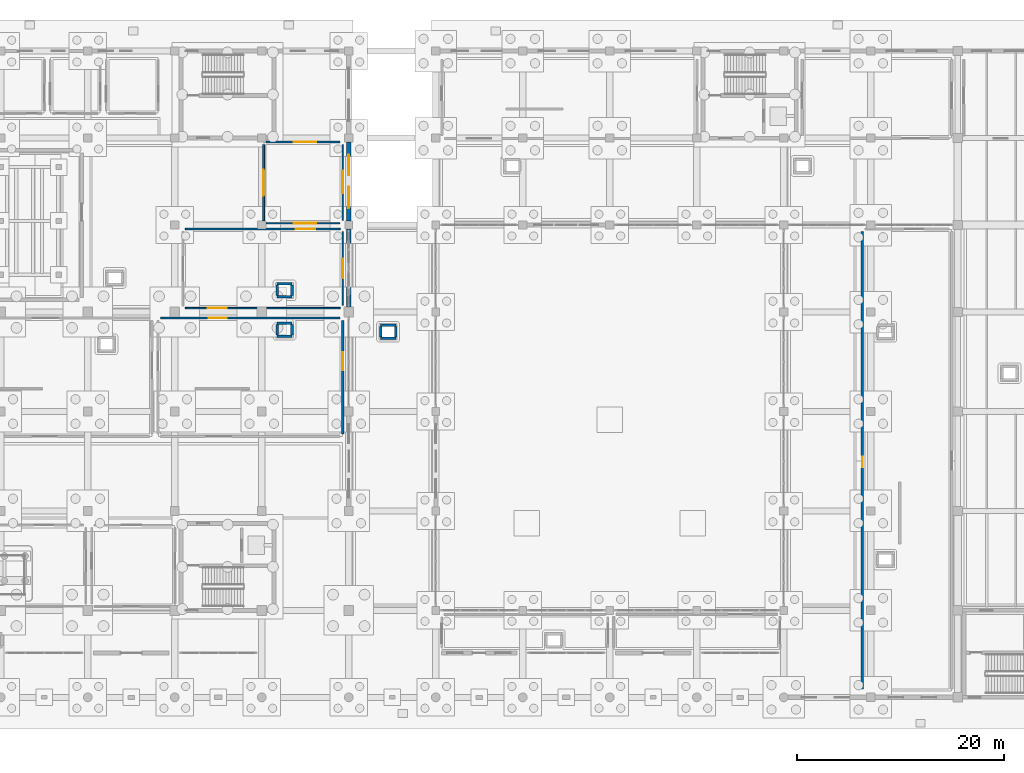
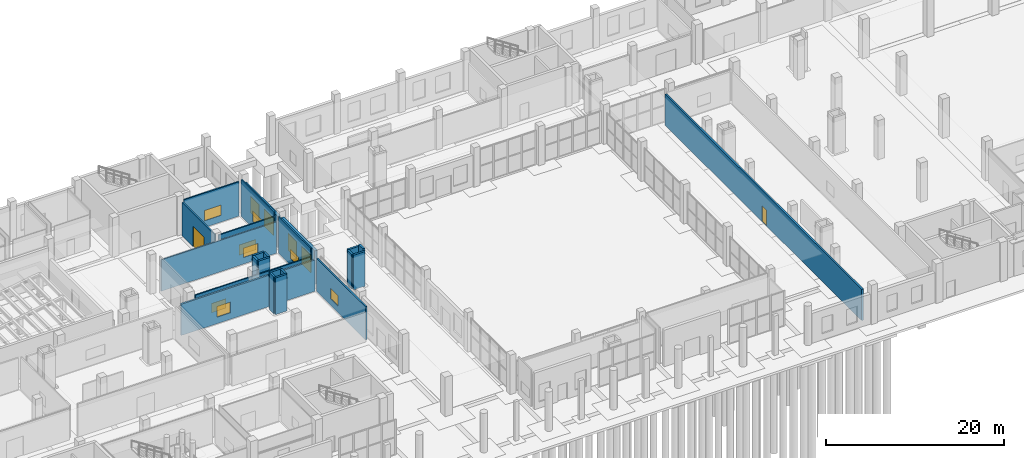
# One storey, part 43 of 65: 24 walls, 12 windows, 2 doors, 14 openings.
"""IFC4 building model written with IfcOpenShell, lengths in metres."""

from ifc_helpers import new_model, si_unit, direction, frame, frame_2d, origin, place, context, subcontext, project, spatial, rectangle, extrude, material, layer, layer_set, type_object, element, fill, save


model = new_model("IFC4")

# Units and contexts
model_context = context("Model", 3, precision=1e-05, world=origin(), true_north=direction((0.0, 1.0)))
body_context = subcontext(model_context, "Body", "Model", "MODEL_VIEW")
ifc_project = project(units=[si_unit("LENGTHUNIT", "METRE"), si_unit("AREAUNIT", "SQUARE_METRE"), si_unit("VOLUMEUNIT", "CUBIC_METRE"), si_unit("PLANEANGLEUNIT", "RADIAN"), si_unit("MASSUNIT", "GRAM", prefix="KILO")], contexts=[model_context])

# Site, building, storey
site_placement = place(None, origin())
site = spatial("IfcSite", under=ifc_project, at=site_placement, CompositionType="ELEMENT")
building_placement = place(site_placement, origin())
building = spatial("IfcBuilding", under=site, at=building_placement, Name="Zulmaris Art Gallery", CompositionType="ELEMENT")
storey_placement = place(building_placement, origin())
storey = spatial("IfcBuildingStorey", under=building, at=storey_placement, Name="L00", CompositionType="ELEMENT", Elevation=0.0)

# Wall, openings, windows
ifc_material_1 = material(Name="Omani Desert Rose Limestone Cladding Wall", Category="masonry")
ifc_layer_1 = layer(ifc_material_1, 0.389892578125)
ifc_layer_set_1 = layer_set([ifc_layer_1], Name="Omani Desert Rose Limestone Cladding Wall")
wall_type_1 = type_object("IfcWallType", Name="ENV-WALL-EW02", PredefinedType="SOLIDWALL", material=ifc_layer_set_1)
wall_1_placement = place(storey_placement, frame((82.800048828125, 50.876953125, 0.0), z_axis=(0.0, 0.0, 1.0), x_axis=(0.0, 1.0, 0.0)))
wall_1 = element("IfcWall", 1, at=wall_1_placement, inside=storey, type_object=wall_type_1, Name="L00 V3 East Learning Studio Wall", PredefinedType="SOLIDWALL", context=body_context, shape_type="SweptSolid", body=[
    extrude(rectangle(XDim=7.546142578125, YDim=0.389892578125, at=frame_2d((3.77294921875, 0.0))), origin(), (0.0, 0.0, 1.0), 4.590087890625),
])
opening_1_placement = place(wall_1_placement, frame((1.14306640625, 0.0, 0.85009765625)))
opening_1 = element("IfcOpeningElement", 2, at=opening_1_placement, cuts=wall_1, Name="Opening W03", PredefinedType="OPENING", context=body_context, shape_type="SweptSolid", body=[
    extrude(rectangle(XDim=2.10009765625, YDim=2.39990234375, at=frame_2d((1.050048828125, 1.199951171875))), frame((0.0, 0.204833984375, 0.0), z_axis=(0.0, -1.0, 0.0), x_axis=(1.0, 0.0, 0.0)), (0.0, 0.0, 1.0), 0.409912109375),
])
opening_2_placement = place(wall_1_placement, frame((4.343017578125, 0.0, 0.85009765625)))
opening_2 = element("IfcOpeningElement", 3, at=opening_2_placement, cuts=wall_1, Name="Opening W08", PredefinedType="OPENING", context=body_context, shape_type="SweptSolid", body=[
    extrude(rectangle(XDim=1.949951171875, YDim=2.300048828125, at=frame_2d((0.97509765625, 1.14990234375))), frame((0.0, 0.204833984375, 0.0), z_axis=(0.0, -1.0, 0.0), x_axis=(1.0, 0.0, 0.0)), (0.0, 0.0, 1.0), 0.409912109375),
])
ifc_material_2 = material(Name="Double-Glazed Bronze-Framed Studio Window", Category="glass")
window_type_1 = type_object("IfcWindowType", Name="WIN-W03", PartitioningType="SINGLE_PANEL", PredefinedType="WINDOW", material=ifc_material_2)
window_1_placement = place(opening_1_placement, origin())
window_1 = element("IfcWindow", 4, at=window_1_placement, inside=storey, type_object=window_type_1, Name="L00 exterior window W03", OverallHeight=2.39990234375, OverallWidth=2.10009765625, PartitioningType="SINGLE_PANEL", PredefinedType="WINDOW", context=body_context, shape_type="SweptSolid", body=[
    extrude(rectangle(XDim=2.10009765625, YDim=2.39990234375, at=frame_2d((1.050048828125, 1.199951171875))), frame((0.0, 0.030029296875, 0.0), z_axis=(0.0, -1.0, 0.0), x_axis=(1.0, 0.0, 0.0)), (0.0, 0.0, 1.0), 0.06005859375),
])
fill(opening_1, window_1)
ifc_material_3 = material(Name="Curatorial North Studio Window", Category="glass")
window_type_2 = type_object("IfcWindowType", Name="WIN-W08", PartitioningType="SINGLE_PANEL", PredefinedType="WINDOW", material=ifc_material_3)
window_2_placement = place(opening_2_placement, origin())
window_2 = element("IfcWindow", 5, at=window_2_placement, inside=storey, type_object=window_type_2, Name="L00 exterior window W08", OverallHeight=2.300048828125, OverallWidth=1.949951171875, PartitioningType="SINGLE_PANEL", PredefinedType="WINDOW", context=body_context, shape_type="SweptSolid", body=[
    extrude(rectangle(XDim=1.949951171875, YDim=2.300048828125, at=frame_2d((0.97509765625, 1.14990234375))), frame((0.0, 0.030029296875, 0.0), z_axis=(0.0, -1.0, 0.0), x_axis=(1.0, 0.0, 0.0)), (0.0, 0.0, 1.0), 0.06005859375),
])
fill(opening_2, window_2)

wall_2_placement = place(storey_placement, frame((82.800048828125, 59.177001953125, 0.0), z_axis=(0.0, 0.0, 1.0), x_axis=(0.0, 1.0, 0.0)))
wall_2 = element("IfcWall", 6, at=wall_2_placement, inside=storey, type_object=wall_type_1, Name="L00 V3 East Learning Studio Wall", PredefinedType="SOLIDWALL", context=body_context, shape_type="SweptSolid", body=[
    extrude(rectangle(XDim=7.62109375, YDim=0.389892578125, at=frame_2d((3.810546875, 0.0))), origin(), (0.0, 0.0, 1.0), 4.2900390625),
])
opening_3_placement = place(wall_2_placement, frame((1.242919921875, 0.0, 0.85009765625)))
opening_3 = element("IfcOpeningElement", 7, at=opening_3_placement, cuts=wall_2, Name="Opening W03", PredefinedType="OPENING", context=body_context, shape_type="SweptSolid", body=[
    extrude(rectangle(XDim=2.10009765625, YDim=2.39990234375, at=frame_2d((1.050048828125, 1.199951171875))), frame((0.0, 0.204833984375, 0.0), z_axis=(0.0, -1.0, 0.0), x_axis=(1.0, 0.0, 0.0)), (0.0, 0.0, 1.0), 0.409912109375),
])
opening_4_placement = place(wall_2_placement, frame((4.443115234375, 0.0, 0.85009765625)))
opening_4 = element("IfcOpeningElement", 8, at=opening_4_placement, cuts=wall_2, Name="Opening W08", PredefinedType="OPENING", context=body_context, shape_type="SweptSolid", body=[
    extrude(rectangle(XDim=1.949951171875, YDim=2.300048828125, at=frame_2d((0.97509765625, 1.14990234375))), frame((0.0, 0.204833984375, 0.0), z_axis=(0.0, -1.0, 0.0), x_axis=(1.0, 0.0, 0.0)), (0.0, 0.0, 1.0), 0.409912109375),
])
window_3_placement = place(opening_3_placement, origin())
window_3 = element("IfcWindow", 9, at=window_3_placement, inside=storey, type_object=window_type_1, Name="L00 exterior window W03", OverallHeight=2.39990234375, OverallWidth=2.10009765625, PartitioningType="SINGLE_PANEL", PredefinedType="WINDOW", context=body_context, shape_type="SweptSolid", body=[
    extrude(rectangle(XDim=2.10009765625, YDim=2.39990234375, at=frame_2d((1.050048828125, 1.199951171875))), frame((0.0, 0.030029296875, 0.0), z_axis=(0.0, -1.0, 0.0), x_axis=(1.0, 0.0, 0.0)), (0.0, 0.0, 1.0), 0.06005859375),
])
fill(opening_3, window_3)
window_4_placement = place(opening_4_placement, origin())
window_4 = element("IfcWindow", 10, at=window_4_placement, inside=storey, type_object=window_type_2, Name="L00 exterior window W08", OverallHeight=2.300048828125, OverallWidth=1.949951171875, PartitioningType="SINGLE_PANEL", PredefinedType="WINDOW", context=body_context, shape_type="SweptSolid", body=[
    extrude(rectangle(XDim=1.949951171875, YDim=2.300048828125, at=frame_2d((0.97509765625, 1.14990234375))), frame((0.0, 0.030029296875, 0.0), z_axis=(0.0, -1.0, 0.0), x_axis=(1.0, 0.0, 0.0)), (0.0, 0.0, 1.0), 0.06005859375),
])
fill(opening_4, window_4)

# Wall, opening, window
ifc_material_4 = material(Name="Timber-Backed Heavy Artwork Display Partition", Category="wood")
ifc_layer_2 = layer(ifc_material_4, 0.159912109375)
ifc_layer_set_2 = layer_set([ifc_layer_2], Name="Timber-Backed Heavy Artwork Display Partition")
wall_type_2 = type_object("IfcWallType", Name="IWALL-PW05", PredefinedType="PARTITIONING", material=ifc_layer_set_2)
wall_3_placement = place(storey_placement, frame((67.030029296875, 50.780029296875, 0.0), z_axis=(0.0, 0.0, 1.0), x_axis=(1.0, 0.0, 0.0)))
wall_3 = element("IfcWall", 11, at=wall_3_placement, inside=storey, type_object=wall_type_2, Name="Youth Art Learning Workshop S partition", PredefinedType="PARTITIONING", context=body_context, shape_type="SweptSolid", body=[
    extrude(rectangle(XDim=14.93994140625, YDim=0.159912109375, at=frame_2d((7.469970703125, 0.0))), origin(), (0.0, 0.0, 1.0), 4.090087890625),
])
opening_5_placement = place(wall_3_placement, frame((2.14990234375, 0.0, 0.89990234375)))
opening_5 = element("IfcOpeningElement", 12, at=opening_5_placement, cuts=wall_3, Name="Opening IW02", PredefinedType="OPENING", context=body_context, shape_type="SweptSolid", body=[
    extrude(rectangle(XDim=1.860107421875, YDim=1.280029296875, at=frame_2d((0.93017578125, 0.64013671875))), frame((0.0, 0.08984375, 0.0), z_axis=(0.0, -1.0, 0.0), x_axis=(1.0, 0.0, 0.0)), (0.0, 0.0, 1.0), 0.179931640625),
])
ifc_material_5 = material(Name="Auditorium Booth Acoustic Window", Category="glass")
window_type_3 = type_object("IfcWindowType", Name="IWIN-IW02", PartitioningType="SINGLE_PANEL", PredefinedType="WINDOW", material=ifc_material_5)
window_5_placement = place(opening_5_placement, origin())
window_5 = element("IfcWindow", 13, at=window_5_placement, inside=storey, type_object=window_type_3, Name="L00 interior observation window IW02", OverallHeight=1.280029296875, OverallWidth=1.860107421875, PartitioningType="SINGLE_PANEL", PredefinedType="WINDOW", context=body_context, shape_type="SweptSolid", body=[
    extrude(rectangle(XDim=1.860107421875, YDim=1.280029296875, at=frame_2d((0.93017578125, 0.64013671875))), frame((0.0, 0.030029296875, 0.0), z_axis=(0.0, -1.0, 0.0), x_axis=(1.0, 0.0, 0.0)), (0.0, 0.0, 1.0), 0.06005859375),
])
fill(opening_5, window_5)

wall_4_placement = place(storey_placement, frame((67.030029296875, 58.419921875, 0.0), z_axis=(0.0, 0.0, 1.0), x_axis=(1.0, 0.0, 0.0)))
wall_4 = element("IfcWall", 14, at=wall_4_placement, inside=storey, type_object=wall_type_2, Name="Youth Art Learning Workshop N partition", PredefinedType="PARTITIONING", context=body_context, shape_type="SweptSolid", body=[
    extrude(rectangle(XDim=14.93994140625, YDim=0.159912109375, at=frame_2d((7.469970703125, 0.0))), origin(), (0.0, 0.0, 1.0), 4.2900390625),
])
opening_6_placement = place(wall_4_placement, frame((10.64990234375, 0.0, 0.89990234375)))
opening_6 = element("IfcOpeningElement", 15, at=opening_6_placement, cuts=wall_4, Name="Opening IW02", PredefinedType="OPENING", context=body_context, shape_type="SweptSolid", body=[
    extrude(rectangle(XDim=1.860107421875, YDim=1.280029296875, at=frame_2d((0.93017578125, 0.64013671875))), frame((0.0, 0.08984375, 0.0), z_axis=(0.0, -1.0, 0.0), x_axis=(1.0, 0.0, 0.0)), (0.0, 0.0, 1.0), 0.179931640625),
])
window_6_placement = place(opening_6_placement, origin())
window_6 = element("IfcWindow", 16, at=window_6_placement, inside=storey, type_object=window_type_3, Name="L00 interior observation window IW02", OverallHeight=1.280029296875, OverallWidth=1.860107421875, PartitioningType="SINGLE_PANEL", PredefinedType="WINDOW", context=body_context, shape_type="SweptSolid", body=[
    extrude(rectangle(XDim=1.860107421875, YDim=1.280029296875, at=frame_2d((0.93017578125, 0.64013671875))), frame((0.0, 0.030029296875, 0.0), z_axis=(0.0, -1.0, 0.0), x_axis=(1.0, 0.0, 0.0)), (0.0, 0.0, 1.0), 0.06005859375),
])
fill(opening_6, window_6)

wall_5_placement = place(storey_placement, frame((82.219970703125, 51.030029296875, 0.0), z_axis=(0.0, 0.0, 1.0), x_axis=(0.0, 1.0, 0.0)))
wall_5 = element("IfcWall", 17, at=wall_5_placement, inside=storey, type_object=wall_type_2, Name="Youth Art Learning Workshop E partition", PredefinedType="PARTITIONING", context=body_context, shape_type="SweptSolid", body=[
    extrude(rectangle(XDim=7.139892578125, YDim=0.159912109375, at=frame_2d((3.56982421875, 0.0))), origin(), (0.0, 0.0, 1.0), 5.0400390625),
])
opening_7_placement = place(wall_5_placement, frame((2.64990234375, 0.0, 0.89990234375)))
opening_7 = element("IfcOpeningElement", 18, at=opening_7_placement, cuts=wall_5, Name="Opening IW02", PredefinedType="OPENING", context=body_context, shape_type="SweptSolid", body=[
    extrude(rectangle(XDim=1.860107421875, YDim=1.280029296875, at=frame_2d((0.93017578125, 0.64013671875))), frame((0.0, 0.08984375, 0.0), z_axis=(0.0, -1.0, 0.0), x_axis=(1.0, 0.0, 0.0)), (0.0, 0.0, 1.0), 0.179931640625),
])
window_7_placement = place(opening_7_placement, origin())
window_7 = element("IfcWindow", 19, at=window_7_placement, inside=storey, type_object=window_type_3, Name="L00 interior observation window IW02", OverallHeight=1.280029296875, OverallWidth=1.860107421875, PartitioningType="SINGLE_PANEL", PredefinedType="WINDOW", context=body_context, shape_type="SweptSolid", body=[
    extrude(rectangle(XDim=1.860107421875, YDim=1.280029296875, at=frame_2d((0.93017578125, 0.64013671875))), frame((0.0, 0.030029296875, 0.0), z_axis=(0.0, -1.0, 0.0), x_axis=(1.0, 0.0, 0.0)), (0.0, 0.0, 1.0), 0.06005859375),
])
fill(opening_7, window_7)

# Wall, opening, door
ifc_material_6 = material(Name="Acoustic Studio Separation Partition", Category="gypsum")
ifc_layer_3 = layer(ifc_material_6, 0.175048828125)
ifc_layer_set_3 = layer_set([ifc_layer_3], Name="Acoustic Studio Separation Partition")
wall_type_3 = type_object("IfcWallType", Name="IWALL-PW06", PredefinedType="PARTITIONING", material=ifc_layer_set_3)
wall_6_placement = place(storey_placement, frame((74.580078125, 59.22998046875, 0.0), z_axis=(0.0, 0.0, 1.0), x_axis=(0.0, 1.0, 0.0)))
wall_6 = element("IfcWall", 20, at=wall_6_placement, inside=storey, type_object=wall_type_3, Name="Community Ceramics & Print Studio W partition", PredefinedType="PARTITIONING", context=body_context, shape_type="SweptSolid", body=[
    extrude(rectangle(XDim=7.340087890625, YDim=0.175048828125, at=frame_2d((3.669921875, 0.0))), origin(), (0.0, 0.0, 1.0), 4.590087890625),
])
opening_8_placement = place(wall_6_placement, frame((2.39990234375, 0.0, 0.0)))
opening_8 = element("IfcOpeningElement", 21, at=opening_8_placement, cuts=wall_6, Name="Opening D28", PredefinedType="OPENING", context=body_context, shape_type="SweptSolid", body=[
    extrude(rectangle(XDim=2.52001953125, YDim=2.800048828125, at=frame_2d((1.260009765625, 1.39990234375))), frame((0.0, 0.097412109375, 0.0), z_axis=(0.0, -1.0, 0.0), x_axis=(1.0, 0.0, 0.0)), (0.0, 0.0, 1.0), 0.195068359375),
])
ifc_material_7 = material(Name="Top-Lit Grand Hall Portal", Category="aluminium")
door_type_1 = type_object("IfcDoorType", Name="IDOOR-D28", OperationType="DOUBLE_SWING_RIGHT", PredefinedType="DOOR", material=ifc_material_7)
door_1_placement = place(opening_8_placement, origin())
door_1 = element("IfcDoor", 22, at=door_1_placement, inside=storey, type_object=door_type_1, Name="Community Ceramics & Print Studio Door", OperationType="DOUBLE_SWING_RIGHT", OverallHeight=2.800048828125, OverallWidth=2.52001953125, PredefinedType="DOOR", context=body_context, shape_type="SweptSolid", body=[
    extrude(rectangle(XDim=2.52001953125, YDim=2.800048828125, at=frame_2d((1.260009765625, 1.39990234375))), frame((0.0, 0.02490234375, 0.0), z_axis=(0.0, -1.0, 0.0), x_axis=(1.0, 0.0, 0.0)), (0.0, 0.0, 1.0), 0.050048828125),
])
fill(opening_8, door_1)

# Wall, opening, window
wall_7_placement = place(storey_placement, frame((74.830078125, 58.97998046875, 0.0), z_axis=(0.0, 0.0, 1.0), x_axis=(1.0, 0.0, 0.0)))
wall_7 = element("IfcWall", 23, at=wall_7_placement, inside=storey, type_object=wall_type_3, Name="Community Ceramics & Print Studio S partition", PredefinedType="PARTITIONING", context=body_context, shape_type="SweptSolid", body=[
    extrude(rectangle(XDim=7.139892578125, YDim=0.175048828125, at=frame_2d((3.56982421875, 0.0))), origin(), (0.0, 0.0, 1.0), 4.64990234375),
])
opening_9_placement = place(wall_7_placement, frame((2.64990234375, 0.0, 0.89990234375)))
opening_9 = element("IfcOpeningElement", 24, at=opening_9_placement, cuts=wall_7, Name="Opening IW03", PredefinedType="OPENING", context=body_context, shape_type="SweptSolid", body=[
    extrude(rectangle(XDim=2.159912109375, YDim=1.419921875, at=frame_2d((1.080078125, 0.7099609375))), frame((0.0, 0.097412109375, 0.0), z_axis=(0.0, -1.0, 0.0), x_axis=(1.0, 0.0, 0.0)), (0.0, 0.0, 1.0), 0.195068359375),
])
ifc_material_8 = material(Name="Analytical Lab Observation Window", Category="glass")
window_type_4 = type_object("IfcWindowType", Name="IWIN-IW03", PartitioningType="SINGLE_PANEL", PredefinedType="WINDOW", material=ifc_material_8)
window_8_placement = place(opening_9_placement, origin())
window_8 = element("IfcWindow", 25, at=window_8_placement, inside=storey, type_object=window_type_4, Name="L00 interior observation window IW03", OverallHeight=1.419921875, OverallWidth=2.159912109375, PartitioningType="SINGLE_PANEL", PredefinedType="WINDOW", context=body_context, shape_type="SweptSolid", body=[
    extrude(rectangle(XDim=2.159912109375, YDim=1.419921875, at=frame_2d((1.080078125, 0.7099609375))), frame((0.0, 0.030029296875, 0.0), z_axis=(0.0, -1.0, 0.0), x_axis=(1.0, 0.0, 0.0)), (0.0, 0.0, 1.0), 0.06005859375),
])
fill(opening_9, window_8)

wall_8_placement = place(storey_placement, frame((74.830078125, 66.820068359375, 0.0), z_axis=(0.0, 0.0, 1.0), x_axis=(1.0, 0.0, 0.0)))
wall_8 = element("IfcWall", 26, at=wall_8_placement, inside=storey, type_object=wall_type_3, Name="Community Ceramics & Print Studio N partition", PredefinedType="PARTITIONING", context=body_context, shape_type="SweptSolid", body=[
    extrude(rectangle(XDim=7.139892578125, YDim=0.175048828125, at=frame_2d((3.56982421875, 0.0))), origin(), (0.0, 0.0, 1.0), 4.7099609375),
])
opening_10_placement = place(wall_8_placement, frame((2.64990234375, 0.0, 0.89990234375)))
opening_10 = element("IfcOpeningElement", 27, at=opening_10_placement, cuts=wall_8, Name="Opening IW03", PredefinedType="OPENING", context=body_context, shape_type="SweptSolid", body=[
    extrude(rectangle(XDim=2.159912109375, YDim=1.419921875, at=frame_2d((1.080078125, 0.7099609375))), frame((0.0, 0.097412109375, 0.0), z_axis=(0.0, -1.0, 0.0), x_axis=(1.0, 0.0, 0.0)), (0.0, 0.0, 1.0), 0.195068359375),
])
window_9_placement = place(opening_10_placement, origin())
window_9 = element("IfcWindow", 28, at=window_9_placement, inside=storey, type_object=window_type_4, Name="L00 interior observation window IW03", OverallHeight=1.419921875, OverallWidth=2.159912109375, PartitioningType="SINGLE_PANEL", PredefinedType="WINDOW", context=body_context, shape_type="SweptSolid", body=[
    extrude(rectangle(XDim=2.159912109375, YDim=1.419921875, at=frame_2d((1.080078125, 0.7099609375))), frame((0.0, 0.030029296875, 0.0), z_axis=(0.0, -1.0, 0.0), x_axis=(1.0, 0.0, 0.0)), (0.0, 0.0, 1.0), 0.06005859375),
])
fill(opening_10, window_9)

wall_9_placement = place(storey_placement, frame((82.219970703125, 59.22998046875, 0.0), z_axis=(0.0, 0.0, 1.0), x_axis=(0.0, 1.0, 0.0)))
wall_9 = element("IfcWall", 29, at=wall_9_placement, inside=storey, type_object=wall_type_3, Name="Community Ceramics & Print Studio E partition", PredefinedType="PARTITIONING", context=body_context, shape_type="SweptSolid", body=[
    extrude(rectangle(XDim=7.340087890625, YDim=0.175048828125, at=frame_2d((3.669921875, 0.0))), origin(), (0.0, 0.0, 1.0), 5.0400390625),
])
opening_11_placement = place(wall_9_placement, frame((2.64990234375, 0.0, 0.89990234375)))
opening_11 = element("IfcOpeningElement", 30, at=opening_11_placement, cuts=wall_9, Name="Opening IW03", PredefinedType="OPENING", context=body_context, shape_type="SweptSolid", body=[
    extrude(rectangle(XDim=2.159912109375, YDim=1.419921875, at=frame_2d((1.080078125, 0.7099609375))), frame((0.0, 0.097412109375, 0.0), z_axis=(0.0, -1.0, 0.0), x_axis=(1.0, 0.0, 0.0)), (0.0, 0.0, 1.0), 0.195068359375),
])
window_10_placement = place(opening_11_placement, origin())
window_10 = element("IfcWindow", 31, at=window_10_placement, inside=storey, type_object=window_type_4, Name="L00 interior observation window IW03", OverallHeight=1.419921875, OverallWidth=2.159912109375, PartitioningType="SINGLE_PANEL", PredefinedType="WINDOW", context=body_context, shape_type="SweptSolid", body=[
    extrude(rectangle(XDim=2.159912109375, YDim=1.419921875, at=frame_2d((1.080078125, 0.7099609375))), frame((0.0, 0.030029296875, 0.0), z_axis=(0.0, -1.0, 0.0), x_axis=(1.0, 0.0, 0.0)), (0.0, 0.0, 1.0), 0.06005859375),
])
fill(opening_11, window_10)

ifc_material_9 = material(Name="Fire-Rated Corridor Compartment Wall", Category="masonry")
ifc_layer_4 = layer(ifc_material_9, 0.205078125)
ifc_layer_set_4 = layer_set([ifc_layer_4], Name="Fire-Rated Corridor Compartment Wall")
wall_type_4 = type_object("IfcWallType", Name="IWALL-PW08", PredefinedType="PARTITIONING", material=ifc_layer_set_4)
wall_10_placement = place(storey_placement, frame((64.6298828125, 49.820068359375, 0.0), z_axis=(0.0, 0.0, 1.0), x_axis=(1.0, 0.0, 0.0)))
wall_10 = element("IfcWall", 32, at=wall_10_placement, inside=storey, type_object=wall_type_4, Name="Introductory Exhibition Gallery N partition", PredefinedType="PARTITIONING", context=body_context, shape_type="SweptSolid", body=[
    extrude(rectangle(XDim=17.340087890625, YDim=0.205078125, at=frame_2d((8.669921875, 0.0))), origin(), (0.0, 0.0, 1.0), 4.2900390625),
])
opening_12_placement = place(wall_10_placement, frame((4.64990234375, 0.0, 0.89990234375)))
opening_12 = element("IfcOpeningElement", 33, at=opening_12_placement, cuts=wall_10, Name="Opening IW06", PredefinedType="OPENING", context=body_context, shape_type="SweptSolid", body=[
    extrude(rectangle(XDim=1.719970703125, YDim=1.4599609375, at=frame_2d((0.85986328125, 0.72998046875))), frame((0.0, 0.112548828125, 0.0), z_axis=(0.0, -1.0, 0.0), x_axis=(1.0, 0.0, 0.0)), (0.0, 0.0, 1.0), 0.22509765625),
])
ifc_material_10 = material(Name="Library Reading Room Internal Glazing", Category="glass")
window_type_5 = type_object("IfcWindowType", Name="IWIN-IW06", PartitioningType="SINGLE_PANEL", PredefinedType="WINDOW", material=ifc_material_10)
window_11_placement = place(opening_12_placement, origin())
window_11 = element("IfcWindow", 34, at=window_11_placement, inside=storey, type_object=window_type_5, Name="L00 interior observation window IW06", OverallHeight=1.4599609375, OverallWidth=1.719970703125, PartitioningType="SINGLE_PANEL", PredefinedType="WINDOW", context=body_context, shape_type="SweptSolid", body=[
    extrude(rectangle(XDim=1.719970703125, YDim=1.4599609375, at=frame_2d((0.85986328125, 0.72998046875))), frame((0.0, 0.030029296875, 0.0), z_axis=(0.0, -1.0, 0.0), x_axis=(1.0, 0.0, 0.0)), (0.0, 0.0, 1.0), 0.06005859375),
])
fill(opening_12, window_11)

wall_11_placement = place(storey_placement, frame((82.219970703125, 38.6298828125, 0.0), z_axis=(0.0, 0.0, 1.0), x_axis=(0.0, 1.0, 0.0)))
wall_11 = element("IfcWall", 35, at=wall_11_placement, inside=storey, type_object=wall_type_4, Name="Introductory Exhibition Gallery E partition", PredefinedType="PARTITIONING", context=body_context, shape_type="SweptSolid", body=[
    extrude(rectangle(XDim=10.940185546875, YDim=0.205078125, at=frame_2d((5.47021484375, 0.0))), origin(), (0.0, 0.0, 1.0), 4.5400390625),
])
opening_13_placement = place(wall_11_placement, frame((6.14990234375, 0.0, 0.89990234375)))
opening_13 = element("IfcOpeningElement", 36, at=opening_13_placement, cuts=wall_11, Name="Opening IW06", PredefinedType="OPENING", context=body_context, shape_type="SweptSolid", body=[
    extrude(rectangle(XDim=1.719970703125, YDim=1.4599609375, at=frame_2d((0.85986328125, 0.72998046875))), frame((0.0, 0.112548828125, 0.0), z_axis=(0.0, -1.0, 0.0), x_axis=(1.0, 0.0, 0.0)), (0.0, 0.0, 1.0), 0.22509765625),
])
window_12_placement = place(opening_13_placement, origin())
window_12 = element("IfcWindow", 37, at=window_12_placement, inside=storey, type_object=window_type_5, Name="L00 interior observation window IW06", OverallHeight=1.4599609375, OverallWidth=1.719970703125, PartitioningType="SINGLE_PANEL", PredefinedType="WINDOW", context=body_context, shape_type="SweptSolid", body=[
    extrude(rectangle(XDim=1.719970703125, YDim=1.4599609375, at=frame_2d((0.85986328125, 0.72998046875))), frame((0.0, 0.030029296875, 0.0), z_axis=(0.0, -1.0, 0.0), x_axis=(1.0, 0.0, 0.0)), (0.0, 0.0, 1.0), 0.06005859375),
])
fill(opening_13, window_12)

# Wall, opening, door
ifc_material_11 = material(Name="Hygrometric Art Store Buffer Wall", Category="masonry")
ifc_layer_5 = layer(ifc_material_11, 0.219970703125)
ifc_layer_set_5 = layer_set([ifc_layer_5], Name="Hygrometric Art Store Buffer Wall")
wall_type_5 = type_object("IfcWallType", Name="IWALL-PW09", PredefinedType="PARTITIONING", material=ifc_layer_set_5)
wall_12_placement = place(storey_placement, frame((132.3798828125, 14.030029296875, 0.0), z_axis=(0.0, 0.0, 1.0), x_axis=(0.0, 1.0, 0.0)))
wall_12 = element("IfcWall", 38, at=wall_12_placement, inside=storey, type_object=wall_type_5, Name="Temporary Exhibition Gallery East W partition", PredefinedType="PARTITIONING", context=body_context, shape_type="SweptSolid", body=[
    extrude(rectangle(XDim=44.139892578125, YDim=0.219970703125, at=frame_2d((22.06982421875, 0.0))), origin(), (0.0, 0.0, 1.0), 4.2900390625),
])
opening_14_placement = place(wall_12_placement, frame((21.39990234375, 0.0, 0.0)))
opening_14 = element("IfcOpeningElement", 39, at=opening_14_placement, cuts=wall_12, Name="Opening D04", PredefinedType="OPENING", context=body_context, shape_type="SweptSolid", body=[
    extrude(rectangle(XDim=1.0, YDim=2.159912109375, at=frame_2d((0.5, 1.080078125))), frame((0.0, 0.119873046875, 0.0), z_axis=(0.0, -1.0, 0.0), x_axis=(1.0, 0.0, 0.0)), (0.0, 0.0, 1.0), 0.239990234375),
])
ifc_material_12 = material(Name="Curatorial Office Acoustic Timber Door", Category="wood")
door_type_2 = type_object("IfcDoorType", Name="IDOOR-D04", OperationType="NOTDEFINED", PredefinedType="DOOR", material=ifc_material_12)
door_2_placement = place(opening_14_placement, origin())
door_2 = element("IfcDoor", 40, at=door_2_placement, inside=storey, type_object=door_type_2, Name="Temporary Exhibition Gallery East Door", OperationType="SINGLE_SWING_LEFT", OverallHeight=2.159912109375, OverallWidth=1.0, PredefinedType="DOOR", context=body_context, shape_type="SweptSolid", body=[
    extrude(rectangle(XDim=1.0, YDim=2.159912109375, at=frame_2d((0.5, 1.080078125))), frame((0.0, 0.02490234375, 0.0), z_axis=(0.0, -1.0, 0.0), x_axis=(1.0, 0.0, 0.0)), (0.0, 0.0, 1.0), 0.050048828125),
])
fill(opening_14, door_2)

# Walls
ifc_material_13 = material(Name="MEP Riser & Smoke Shaft Enclosure Wall", Category="masonry")
ifc_layer_6 = layer(ifc_material_13, 0.2548828125)
ifc_layer_set_6 = layer_set([ifc_layer_6], Name="MEP Riser & Smoke Shaft Enclosure Wall")
wall_type_6 = type_object("IfcWallType", Name="IWALL-PW11", PredefinedType="PARTITIONING", material=ifc_layer_set_6)
for number, where, z_axis, x_axis, name in (
    (41, (75.860107421875, 49.320068359375, 0.0), (0.0, 0.0, 1.0), (1.0, 0.0, 0.0), "L00 MEP Riser 3 N wall"),
    (42, (75.860107421875, 48.080078125, 0.0), (0.0, 0.0, 1.0), (1.0, 0.0, 0.0), "L00 MEP Riser 3 S wall"),
):
    element("IfcWall", number, at=place(storey_placement, frame(where, z_axis=z_axis, x_axis=x_axis)), inside=storey, type_object=wall_type_6, Name=name, PredefinedType="PARTITIONING", context=body_context, shape_type="SweptSolid", body=[
        extrude(rectangle(XDim=1.47998046875, YDim=0.2548828125, at=frame_2d((0.739990234375, 0.0))), origin(), (0.0, 0.0, 1.0), 5.0400390625),
    ])
for number, where, z_axis, x_axis, name in (
    (43, (75.8798828125, 48.199951171875, 0.0), (0.0, 0.0, 1.0), (0.0, 1.0, 0.0), "L00 MEP Riser 3 W wall"),
    (44, (77.320068359375, 48.199951171875, 0.0), (0.0, 0.0, 1.0), (0.0, 1.0, 0.0), "L00 MEP Riser 3 E wall"),
):
    element("IfcWall", number, at=place(storey_placement, frame(where, z_axis=z_axis, x_axis=x_axis)), inside=storey, type_object=wall_type_6, Name=name, PredefinedType="PARTITIONING", context=body_context, shape_type="SweptSolid", body=[
        extrude(rectangle(XDim=1.0, YDim=0.2548828125, at=frame_2d((0.5, 0.0))), origin(), (0.0, 0.0, 1.0), 5.0400390625),
    ])
for number, where, z_axis, x_axis, name in (
    (45, (85.860107421875, 49.1201171875, 0.0), (0.0, 0.0, 1.0), (1.0, 0.0, 0.0), "L00 MEP Riser 6 N wall"),
    (46, (85.860107421875, 47.8798828125, 0.0), (0.0, 0.0, 1.0), (1.0, 0.0, 0.0), "L00 MEP Riser 6 S wall"),
):
    element("IfcWall", number, at=place(storey_placement, frame(where, z_axis=z_axis, x_axis=x_axis)), inside=storey, type_object=wall_type_6, Name=name, PredefinedType="PARTITIONING", context=body_context, shape_type="SweptSolid", body=[
        extrude(rectangle(XDim=1.47998046875, YDim=0.2548828125, at=frame_2d((0.739990234375, 0.0))), origin(), (0.0, 0.0, 1.0), 4.77001953125),
    ])
wall_13_placement = place(storey_placement, frame((85.8798828125, 48.0, 0.0), z_axis=(0.0, 0.0, 1.0), x_axis=(0.0, 1.0, 0.0)))
element("IfcWall", 47, at=wall_13_placement, inside=storey, type_object=wall_type_6, Name="L00 MEP Riser 6 W wall", PredefinedType="PARTITIONING", context=body_context, shape_type="SweptSolid", body=[
    extrude(rectangle(XDim=1.0, YDim=0.2548828125, at=frame_2d((0.5, 0.0))), origin(), (0.0, 0.0, 1.0), 4.77001953125),
])
wall_14_placement = place(storey_placement, frame((87.320068359375, 48.0, 0.0), z_axis=(0.0, 0.0, 1.0), x_axis=(0.0, 1.0, 0.0)))
element("IfcWall", 48, at=wall_14_placement, inside=storey, type_object=wall_type_6, Name="L00 MEP Riser 6 E wall", PredefinedType="PARTITIONING", context=body_context, shape_type="SweptSolid", body=[
    extrude(rectangle(XDim=1.0, YDim=0.2548828125, at=frame_2d((0.5, 0.0))), origin(), (0.0, 0.0, 1.0), 5.0400390625),
])
for number, where, z_axis, x_axis, name in (
    (49, (75.860107421875, 53.1201171875, 0.0), (0.0, 0.0, 1.0), (1.0, 0.0, 0.0), "L00 MEP Riser 8 N wall"),
    (50, (75.860107421875, 51.8798828125, 0.0), (0.0, 0.0, 1.0), (1.0, 0.0, 0.0), "L00 MEP Riser 8 S wall"),
):
    element("IfcWall", number, at=place(storey_placement, frame(where, z_axis=z_axis, x_axis=x_axis)), inside=storey, type_object=wall_type_6, Name=name, PredefinedType="PARTITIONING", context=body_context, shape_type="SweptSolid", body=[
        extrude(rectangle(XDim=1.47998046875, YDim=0.2548828125, at=frame_2d((0.739990234375, 0.0))), origin(), (0.0, 0.0, 1.0), 5.0400390625),
    ])
for number, where, z_axis, x_axis, name in (
    (51, (75.8798828125, 52.0, 0.0), (0.0, 0.0, 1.0), (0.0, 1.0, 0.0), "L00 MEP Riser 8 W wall"),
    (52, (77.320068359375, 52.0, 0.0), (0.0, 0.0, 1.0), (0.0, 1.0, 0.0), "L00 MEP Riser 8 E wall"),
):
    element("IfcWall", number, at=place(storey_placement, frame(where, z_axis=z_axis, x_axis=x_axis)), inside=storey, type_object=wall_type_6, Name=name, PredefinedType="PARTITIONING", context=body_context, shape_type="SweptSolid", body=[
        extrude(rectangle(XDim=1.0, YDim=0.2548828125, at=frame_2d((0.5, 0.0))), origin(), (0.0, 0.0, 1.0), 5.0400390625),
    ])

save(model, "model.ifc")
